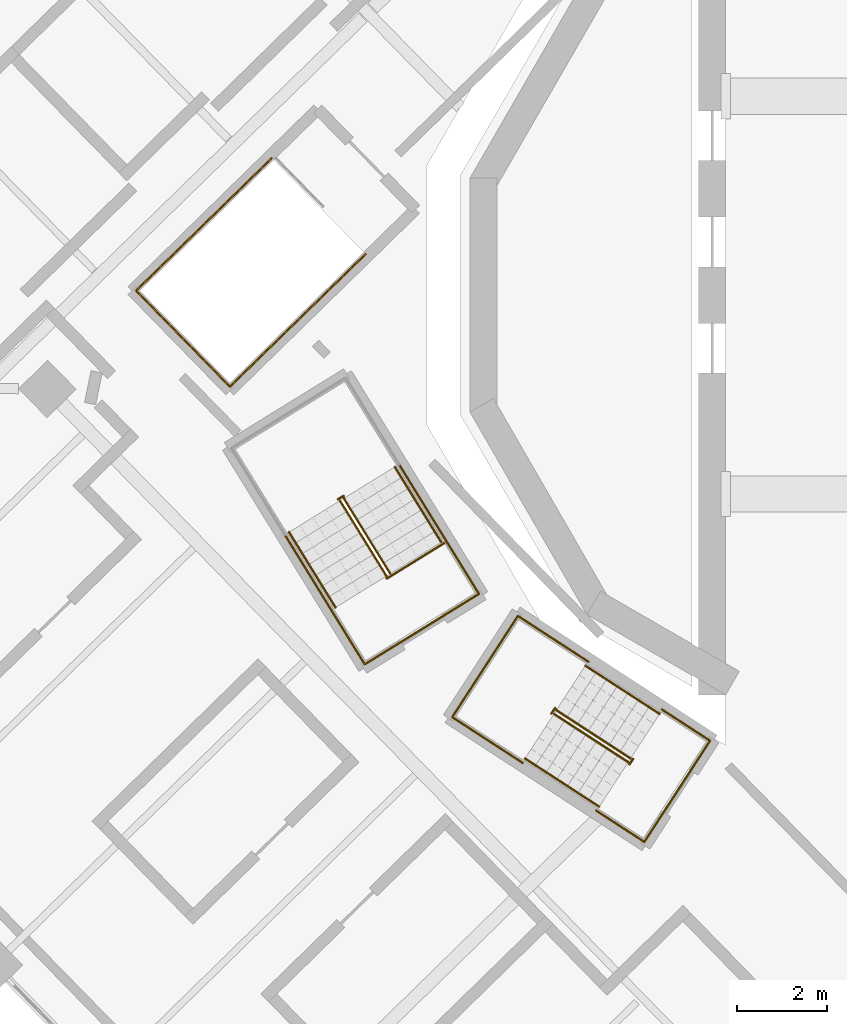
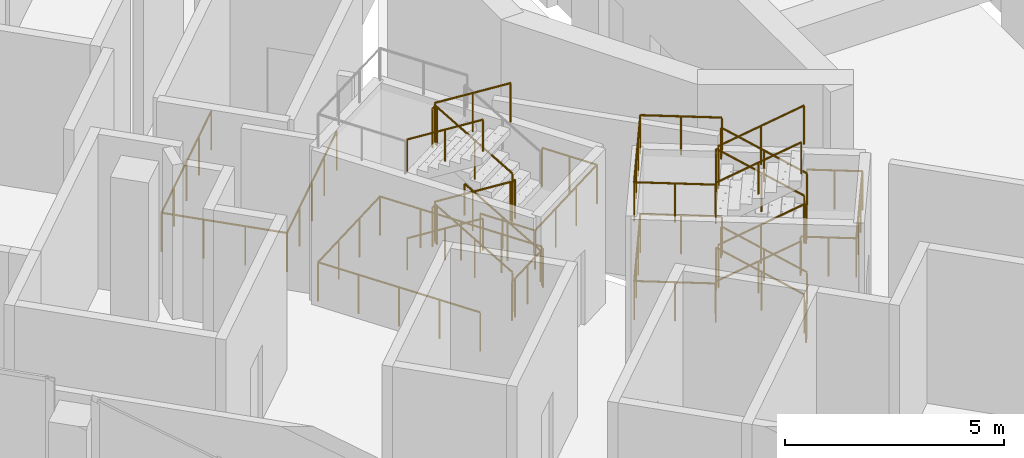
# One storey, part 18 of 20: 24 railings.
"""IFC4 building model written with IfcOpenShell, lengths in metres."""

from ifc_helpers import new_model, si_unit, direction, frame, origin, origin_2d, place, context, subcontext, project, spatial, circle, extrude, material, type_object, element, save


model = new_model("IFC4")

# Units and contexts
model_context = context("Model", 3, precision=1e-05, world=origin(), true_north=direction((0.0, 1.0)))
body_context = subcontext(model_context, "Body", "Model", "MODEL_VIEW")
ifc_project = project(units=[si_unit("LENGTHUNIT", "METRE"), si_unit("AREAUNIT", "SQUARE_METRE"), si_unit("VOLUMEUNIT", "CUBIC_METRE"), si_unit("PLANEANGLEUNIT", "RADIAN"), si_unit("MASSUNIT", "GRAM", prefix="KILO")], contexts=[model_context])

# Site, building, storey
site_placement = place(None, origin())
site = spatial("IfcSite", under=ifc_project, at=site_placement, CompositionType="ELEMENT")
building_placement = place(site_placement, origin())
building = spatial("IfcBuilding", under=site, at=building_placement, Name="Cantera Rosa Tower", CompositionType="ELEMENT")
storey_placement = place(building_placement, frame((0.0, 0.0, 245.0)))
storey = spatial("IfcBuildingStorey", under=building, at=storey_placement, Name="L54", CompositionType="ELEMENT", Elevation=245.0)

# Railings
ifc_material_1 = material(Name="Steel S355J2 (EN 10025-2)", Category="steel")
railing_type_1 = type_object("IfcRailingType", Name="STAIR GUARD 1100", PredefinedType="GUARDRAIL", material=ifc_material_1)
railing_1_placement = place(storey_placement, frame((-14.044921875, 3.0322265625, 0.0)))
element("IfcRailing", 1, at=railing_1_placement, inside=storey, type_object=railing_type_1, Name="L54 ST-43 top well guard 2", PredefinedType="GUARDRAIL", context=body_context, shape_type="SweptSolid", body=[
    extrude(circle(Radius=0.02392578125, at=origin_2d()), frame((0.0, 0.0, 1.076171875), z_axis=(-0.715259213566, -0.698859254364, 0.0), x_axis=(0.698859254364, -0.715259213566, 0.0)), (0.0, 0.0, 1.0), 4.197998046875),
    extrude(circle(Radius=0.02392578125, at=origin_2d()), frame((-3.002685546875, -2.933837890625, 1.076171875), z_axis=(0.698838333505, -0.715279654138, 0.0), x_axis=(0.715279654138, 0.698838333505, 0.0)), (0.0, 0.0, 1.0), 2.9697265625),
    extrude(circle(Radius=0.02392578125, at=origin_2d()), frame((-0.92724609375, -5.05810546875, 1.076171875), z_axis=(0.715288284249, 0.698829500247, 0.0), x_axis=(-0.698829500247, 0.715288284249, 0.0)), (0.0, 0.0, 1.0), 4.19775390625),
    extrude(circle(Radius=0.02099609375, at=origin_2d()), origin(), (0.0, 0.0, 1.0), 1.052001953125),
    extrude(circle(Radius=0.02099609375, at=origin_2d()), frame((-0.750732421875, -0.7333984375, 0.0)), (0.0, 0.0, 1.0), 1.052001953125),
    extrude(circle(Radius=0.02099609375, at=origin_2d()), frame((-1.50146484375, -1.466796875, 0.0)), (0.0, 0.0, 1.0), 1.052001953125),
    extrude(circle(Radius=0.02099609375, at=origin_2d()), frame((-2.251953125, -2.200439453125, 0.0)), (0.0, 0.0, 1.0), 1.052001953125),
    extrude(circle(Radius=0.02099609375, at=origin_2d()), frame((-3.002685546875, -2.933837890625, 0.0)), (0.0, 0.0, 1.0), 1.052001953125),
    extrude(circle(Radius=0.02099609375, at=origin_2d()), frame((-2.310791015625, -3.641845703125, 0.0)), (0.0, 0.0, 1.0), 1.052001953125),
    extrude(circle(Radius=0.02099609375, at=origin_2d()), frame((-1.619140625, -4.35009765625, 0.0)), (0.0, 0.0, 1.0), 1.052001953125),
    extrude(circle(Radius=0.02099609375, at=origin_2d()), frame((-0.92724609375, -5.05810546875, 0.0)), (0.0, 0.0, 1.0), 1.052001953125),
    extrude(circle(Radius=0.02099609375, at=origin_2d()), frame((-0.176513671875, -4.32470703125, 0.0)), (0.0, 0.0, 1.0), 1.052001953125),
    extrude(circle(Radius=0.02099609375, at=origin_2d()), frame((0.57421875, -3.59130859375, 0.0)), (0.0, 0.0, 1.0), 1.052001953125),
    extrude(circle(Radius=0.02099609375, at=origin_2d()), frame((1.32470703125, -2.85791015625, 0.0)), (0.0, 0.0, 1.0), 1.052001953125),
    extrude(circle(Radius=0.02099609375, at=origin_2d()), frame((2.075439453125, -2.12451171875, 0.0)), (0.0, 0.0, 1.0), 1.052001953125),
])
railing_2_placement = place(storey_placement, frame((-10.225830078125, -5.486083984375, 0.0)))
element("IfcRailing", 2, at=railing_2_placement, inside=storey, type_object=railing_type_1, Name="L54 ST-44 top well guard 1", PredefinedType="GUARDRAIL", context=body_context, shape_type="SweptSolid", body=[
    extrude(circle(Radius=0.02392578125, at=origin_2d()), frame((0.0, 0.0, 1.076171875), z_axis=(-0.85118298814, -0.524869051004, 0.0), x_axis=(0.524869051004, -0.85118298814, 0.0)), (0.0, 0.0, 1.0), 1.5),
    extrude(circle(Radius=0.02099609375, at=origin_2d()), origin(), (0.0, 0.0, 1.0), 1.052001953125),
    extrude(circle(Radius=0.02099609375, at=origin_2d()), frame((-0.638427734375, -0.3935546875, 0.0)), (0.0, 0.0, 1.0), 1.052001953125),
    extrude(circle(Radius=0.02099609375, at=origin_2d()), frame((-1.27685546875, -0.787353515625, 0.0)), (0.0, 0.0, 1.0), 1.052001953125),
])
railing_3_placement = place(storey_placement, frame((-10.20751953125, -5.40185546875, 0.0)))
element("IfcRailing", 3, at=railing_3_placement, inside=storey, type_object=railing_type_1, Name="L54 ST-44 top well guard 2", PredefinedType="GUARDRAIL", context=body_context, shape_type="SweptSolid", body=[
    extrude(circle(Radius=0.02392578125, at=origin_2d()), frame((0.0, 0.0, 1.076171875), z_axis=(-0.524976478809, 0.851116735059, 0.0), x_axis=(-0.851116735059, -0.524976478809, 0.0)), (0.0, 0.0, 1.0), 4.197998046875),
    extrude(circle(Radius=0.02392578125, at=origin_2d()), frame((-2.203857421875, 3.572998046875, 1.076171875), z_axis=(-0.851132917336, -0.524950242429, 0.0), x_axis=(0.524950242429, -0.851132917336, 0.0)), (0.0, 0.0, 1.0), 2.969970703125),
    extrude(circle(Radius=0.02392578125, at=origin_2d()), frame((-4.731689453125, 2.013916015625, 1.076171875), z_axis=(0.524976478809, -0.851116735059, 0.0), x_axis=(0.851116735059, 0.524976478809, 0.0)), (0.0, 0.0, 1.0), 4.197998046875),
    extrude(circle(Radius=0.02099609375, at=origin_2d()), origin(), (0.0, 0.0, 1.0), 1.052001953125),
    extrude(circle(Radius=0.02099609375, at=origin_2d()), frame((-0.551025390625, 0.893310546875, 0.0)), (0.0, 0.0, 1.0), 1.052001953125),
    extrude(circle(Radius=0.02099609375, at=origin_2d()), frame((-1.10205078125, 1.78662109375, 0.0)), (0.0, 0.0, 1.0), 1.052001953125),
    extrude(circle(Radius=0.02099609375, at=origin_2d()), frame((-1.65283203125, 2.6796875, 0.0)), (0.0, 0.0, 1.0), 1.052001953125),
    extrude(circle(Radius=0.02099609375, at=origin_2d()), frame((-2.203857421875, 3.572998046875, 0.0)), (0.0, 0.0, 1.0), 1.052001953125),
    extrude(circle(Radius=0.02099609375, at=origin_2d()), frame((-3.04638671875, 3.05322265625, 0.0)), (0.0, 0.0, 1.0), 1.052001953125),
    extrude(circle(Radius=0.02099609375, at=origin_2d()), frame((-3.88916015625, 2.53369140625, 0.0)), (0.0, 0.0, 1.0), 1.052001953125),
    extrude(circle(Radius=0.02099609375, at=origin_2d()), frame((-4.731689453125, 2.013916015625, 0.0)), (0.0, 0.0, 1.0), 1.052001953125),
    extrude(circle(Radius=0.02099609375, at=origin_2d()), frame((-4.1806640625, 1.12060546875, 0.0)), (0.0, 0.0, 1.0), 1.052001953125),
    extrude(circle(Radius=0.02099609375, at=origin_2d()), frame((-3.6298828125, 0.2275390625, 0.0)), (0.0, 0.0, 1.0), 1.052001953125),
    extrude(circle(Radius=0.02099609375, at=origin_2d()), frame((-3.078857421875, -0.665771484375, 0.0)), (0.0, 0.0, 1.0), 1.052001953125),
    extrude(circle(Radius=0.02099609375, at=origin_2d()), frame((-2.52783203125, -1.55908203125, 0.0)), (0.0, 0.0, 1.0), 1.052001953125),
])
railing_4_placement = place(storey_placement, frame((-11.42333984375, -6.165771484375, 0.171875)))
element("IfcRailing", 4, at=railing_4_placement, inside=storey, type_object=railing_type_1, Name="L54 ST-52 stair guard 1", PredefinedType="GUARDRAIL", context=body_context, shape_type="SweptSolid", body=[
    extrude(circle(Radius=0.02392578125, at=origin_2d()), frame((0.0, 0.0, 1.076171875), z_axis=(-0.447439880758, 0.725351531487, 0.523127813137), x_axis=(-0.851097591167, -0.525007514528, 0.0)), (0.0, 0.0, 1.0), 2.2998046875),
    extrude(circle(Radius=0.02392578125, at=origin_2d()), frame((-1.029052734375, 1.668212890625, 2.279296875), z_axis=(-0.069397501713, 0.997589087128, 0.0), x_axis=(-0.997589087128, -0.069397501713, 0.0)), (0.0, 0.0, 1.0), 0.056396484375),
    extrude(circle(Radius=0.02392578125, at=origin_2d()), frame((-1.032958984375, 1.724365234375, 2.279296875), z_axis=(-0.850819388589, -0.525458245725, 0.0), x_axis=(0.525458245725, -0.850819388589, 0.0)), (0.0, 0.0, 1.0), 0.150146484375),
    extrude(circle(Radius=0.02099609375, at=origin_2d()), origin(), (0.0, 0.0, 1.0), 1.052001953125),
    extrude(circle(Radius=0.02099609375, at=origin_2d()), frame((-0.5146484375, 0.833984375, 0.6015625)), (0.0, 0.0, 1.0), 1.052001953125),
    extrude(circle(Radius=0.02099609375, at=origin_2d()), frame((-1.029052734375, 1.668212890625, 1.203125)), (0.0, 0.0, 1.0), 1.052001953125),
    extrude(circle(Radius=0.02099609375, at=origin_2d()), frame((-1.032958984375, 1.724365234375, 1.203125)), (0.0, 0.0, 1.0), 1.052001953125),
    extrude(circle(Radius=0.02099609375, at=origin_2d()), frame((-1.16064453125, 1.6455078125, 1.203125)), (0.0, 0.0, 1.0), 1.052001953125),
])
railing_5_placement = place(storey_placement, frame((-12.53564453125, -4.549072265625, 1.546875)))
element("IfcRailing", 5, at=railing_5_placement, inside=storey, type_object=railing_type_1, Name="L54 ST-52 stair guard 2", PredefinedType="GUARDRAIL", context=body_context, shape_type="SweptSolid", body=[
    extrude(circle(Radius=0.02392578125, at=origin_2d()), frame((0.0, 0.0, 1.076171875), z_axis=(0.447354972853, -0.725385982322, 0.523152659283), x_axis=(0.85115324613, 0.524917280724, 0.0)), (0.0, 0.0, 1.0), 2.2998046875),
    extrude(circle(Radius=0.02392578125, at=origin_2d()), frame((1.02880859375, -1.668212890625, 2.279296875), z_axis=(0.073711968402, -0.997279572494, 0.0), x_axis=(0.997279572494, 0.073711968402, 0.0)), (0.0, 0.0, 1.0), 0.056396484375),
    extrude(circle(Radius=0.02392578125, at=origin_2d()), frame((1.032958984375, -1.724365234375, 2.279296875), z_axis=(0.851546489876, 0.524279100842, 0.0), x_axis=(-0.524279100842, 0.851546489876, 0.0)), (0.0, 0.0, 1.0), 0.14990234375),
    extrude(circle(Radius=0.02099609375, at=origin_2d()), origin(), (0.0, 0.0, 1.0), 1.052001953125),
    extrude(circle(Radius=0.02099609375, at=origin_2d()), frame((0.514404296875, -0.833984375, 0.6015625)), (0.0, 0.0, 1.0), 1.052001953125),
    extrude(circle(Radius=0.02099609375, at=origin_2d()), frame((1.02880859375, -1.668212890625, 1.203125)), (0.0, 0.0, 1.0), 1.052001953125),
    extrude(circle(Radius=0.02099609375, at=origin_2d()), frame((1.032958984375, -1.724365234375, 1.203125)), (0.0, 0.0, 1.0), 1.052001953125),
    extrude(circle(Radius=0.02099609375, at=origin_2d()), frame((1.16064453125, -1.645751953125, 1.203125)), (0.0, 0.0, 1.0), 1.052001953125),
])
railing_6_placement = place(storey_placement, frame((-11.42333984375, -6.165771484375, 2.921875)))
element("IfcRailing", 6, at=railing_6_placement, inside=storey, type_object=railing_type_1, Name="L54 ST-52 stair guard 3", PredefinedType="GUARDRAIL", context=body_context, shape_type="SweptSolid", body=[
    extrude(circle(Radius=0.02392578125, at=origin_2d()), frame((0.0, 0.0, 1.076171875), z_axis=(-0.447439880758, 0.725351531487, 0.523127813137), x_axis=(-0.851097591167, -0.525007514528, 0.0)), (0.0, 0.0, 1.0), 2.2998046875),
    extrude(circle(Radius=0.02392578125, at=origin_2d()), frame((-1.029052734375, 1.668212890625, 2.279296875), z_axis=(-0.069397501713, 0.997589087128, 0.0), x_axis=(-0.997589087128, -0.069397501713, 0.0)), (0.0, 0.0, 1.0), 0.056396484375),
    extrude(circle(Radius=0.02392578125, at=origin_2d()), frame((-1.032958984375, 1.724365234375, 2.279296875), z_axis=(-0.850819388589, -0.525458245725, 0.0), x_axis=(0.525458245725, -0.850819388589, 0.0)), (0.0, 0.0, 1.0), 0.150146484375),
    extrude(circle(Radius=0.02099609375, at=origin_2d()), origin(), (0.0, 0.0, 1.0), 1.052001953125),
    extrude(circle(Radius=0.02099609375, at=origin_2d()), frame((-0.5146484375, 0.833984375, 0.6015625)), (0.0, 0.0, 1.0), 1.052001953125),
    extrude(circle(Radius=0.02099609375, at=origin_2d()), frame((-1.029052734375, 1.668212890625, 1.203125)), (0.0, 0.0, 1.0), 1.052001953125),
    extrude(circle(Radius=0.02099609375, at=origin_2d()), frame((-1.032958984375, 1.724365234375, 1.203125)), (0.0, 0.0, 1.0), 1.052001953125),
    extrude(circle(Radius=0.02099609375, at=origin_2d()), frame((-1.16064453125, 1.6455078125, 1.203125)), (0.0, 0.0, 1.0), 1.052001953125),
])
railing_7_placement = place(storey_placement, frame((-12.53564453125, -4.549072265625, 4.296875)))
element("IfcRailing", 7, at=railing_7_placement, inside=storey, type_object=railing_type_1, Name="L54 ST-52 stair guard 4", PredefinedType="GUARDRAIL", context=body_context, shape_type="SweptSolid", body=[
    extrude(circle(Radius=0.02392578125, at=origin_2d()), frame((0.0, 0.0, 1.076171875), z_axis=(0.447354972853, -0.725385982322, 0.523152659283), x_axis=(0.85115324613, 0.524917280724, 0.0)), (0.0, 0.0, 1.0), 2.2998046875),
    extrude(circle(Radius=0.02099609375, at=origin_2d()), origin(), (0.0, 0.0, 1.0), 1.052001953125),
    extrude(circle(Radius=0.02099609375, at=origin_2d()), frame((0.514404296875, -0.833984375, 0.6015625)), (0.0, 0.0, 1.0), 1.052001953125),
    extrude(circle(Radius=0.02099609375, at=origin_2d()), frame((1.02880859375, -1.668212890625, 1.203125)), (0.0, 0.0, 1.0), 1.052001953125),
])
railing_8_placement = place(storey_placement, frame((-11.375, -6.19482421875, 0.0)))
element("IfcRailing", 8, at=railing_8_placement, inside=storey, type_object=railing_type_1, Name="L54 ST-52 stair guard 5", PredefinedType="GUARDRAIL", context=body_context, shape_type="SweptSolid", body=[
    extrude(circle(Radius=0.02392578125, at=origin_2d()), frame((0.0, 0.0, 1.076171875), z_axis=(-0.851546489876, -0.524279100842, 0.0), x_axis=(0.524279100842, -0.851546489876, 0.0)), (0.0, 0.0, 1.0), 0.14990234375),
    extrude(circle(Radius=0.02099609375, at=origin_2d()), origin(), (0.0, 0.0, 1.0), 1.052001953125),
    extrude(circle(Radius=0.02099609375, at=origin_2d()), frame((-0.127685546875, -0.07861328125, 0.0)), (0.0, 0.0, 1.0), 1.052001953125),
])
railing_9_placement = place(storey_placement, frame((-10.20751953125, -5.40185546875, 2.75)))
element("IfcRailing", 9, at=railing_9_placement, inside=storey, type_object=railing_type_1, Name="L54 ST-52 stair guard 7", PredefinedType="GUARDRAIL", context=body_context, shape_type="SweptSolid", body=[
    extrude(circle(Radius=0.02392578125, at=origin_2d()), frame((0.0, 0.0, 1.076171875), z_axis=(0.525035889828, -0.851080086944, 0.0), x_axis=(0.851080086944, 0.525035889828, 0.0)), (0.0, 0.0, 1.0), 1.421875),
    extrude(circle(Radius=0.02392578125, at=origin_2d()), frame((0.74658203125, -1.210205078125, 1.076171875), z_axis=(-0.851132917336, -0.524950242429, 0.0), x_axis=(0.524950242429, -0.851132917336, 0.0)), (0.0, 0.0, 1.0), 2.969970703125),
    extrude(circle(Radius=0.02392578125, at=origin_2d()), frame((-1.78125, -2.769287109375, 1.076171875), z_axis=(-0.525035889828, 0.851080086944, 0.0), x_axis=(-0.851080086944, -0.525035889828, 0.0)), (0.0, 0.0, 1.0), 1.421875),
    extrude(circle(Radius=0.02099609375, at=origin_2d()), origin(), (0.0, 0.0, 1.0), 1.052001953125),
    extrude(circle(Radius=0.02099609375, at=origin_2d()), frame((0.373291015625, -0.60498046875, 0.0)), (0.0, 0.0, 1.0), 1.052001953125),
    extrude(circle(Radius=0.02099609375, at=origin_2d()), frame((0.74658203125, -1.210205078125, 0.0)), (0.0, 0.0, 1.0), 1.052001953125),
    extrude(circle(Radius=0.02099609375, at=origin_2d()), frame((-0.095947265625, -1.72998046875, 0.0)), (0.0, 0.0, 1.0), 1.052001953125),
    extrude(circle(Radius=0.02099609375, at=origin_2d()), frame((-0.938720703125, -2.24951171875, 0.0)), (0.0, 0.0, 1.0), 1.052001953125),
    extrude(circle(Radius=0.02099609375, at=origin_2d()), frame((-1.78125, -2.769287109375, 0.0)), (0.0, 0.0, 1.0), 1.052001953125),
    extrude(circle(Radius=0.02099609375, at=origin_2d()), frame((-2.154541015625, -2.1640625, 0.0)), (0.0, 0.0, 1.0), 1.052001953125),
    extrude(circle(Radius=0.02099609375, at=origin_2d()), frame((-2.52783203125, -1.55908203125, 0.0)), (0.0, 0.0, 1.0), 1.052001953125),
])
railing_10_placement = place(storey_placement, frame((-6.10400390625, -10.25341796875, 0.171875)))
element("IfcRailing", 10, at=railing_10_placement, inside=storey, type_object=railing_type_1, Name="L54 ST-53 stair guard 1", PredefinedType="GUARDRAIL", context=body_context, shape_type="SweptSolid", body=[
    extrude(circle(Radius=0.02392578125, at=origin_2d()), frame((0.0, 0.0, 1.076171875), z_axis=(-0.714734888972, 0.464211446528, 0.523126917103), x_axis=(-0.544686227039, -0.838639919199, 0.0)), (0.0, 0.0, 1.0), 2.2998046875),
    extrude(circle(Radius=0.02392578125, at=origin_2d()), frame((-1.643798828125, 1.067626953125, 2.279296875), z_axis=(-0.493340105608, 0.869836501993, 0.0), x_axis=(-0.869836501993, -0.493340105608, 0.0)), (0.0, 0.0, 1.0), 0.056396484375),
    extrude(circle(Radius=0.02392578125, at=origin_2d()), frame((-1.671630859375, 1.11669921875, 2.279296875), z_axis=(-0.543386185195, -0.839482848984, 0.0), x_axis=(0.839482848984, -0.543386185195, 0.0)), (0.0, 0.0, 1.0), 0.150146484375),
    extrude(circle(Radius=0.02099609375, at=origin_2d()), origin(), (0.0, 0.0, 1.0), 1.052001953125),
    extrude(circle(Radius=0.02099609375, at=origin_2d()), frame((-0.82177734375, 0.53369140625, 0.6015625)), (0.0, 0.0, 1.0), 1.052001953125),
    extrude(circle(Radius=0.02099609375, at=origin_2d()), frame((-1.643798828125, 1.067626953125, 1.203125)), (0.0, 0.0, 1.0), 1.052001953125),
    extrude(circle(Radius=0.02099609375, at=origin_2d()), frame((-1.671630859375, 1.11669921875, 1.203125)), (0.0, 0.0, 1.0), 1.052001953125),
    extrude(circle(Radius=0.02099609375, at=origin_2d()), frame((-1.753173828125, 0.99072265625, 1.203125)), (0.0, 0.0, 1.0), 1.052001953125),
])
railing_11_placement = place(storey_placement, frame((-7.80126953125, -9.26806640625, 1.546875)))
element("IfcRailing", 11, at=railing_11_placement, inside=storey, type_object=railing_type_1, Name="L54 ST-53 stair guard 2", PredefinedType="GUARDRAIL", context=body_context, shape_type="SweptSolid", body=[
    extrude(circle(Radius=0.02392578125, at=origin_2d()), frame((0.0, 0.0, 1.076171875), z_axis=(0.714770108184, -0.464128161738, 0.523152694658), x_axis=(0.544598615326, 0.838696815414, 0.0)), (0.0, 0.0, 1.0), 2.2998046875),
    extrude(circle(Radius=0.02392578125, at=origin_2d()), frame((1.643798828125, -1.0673828125, 2.279296875), z_axis=(0.493340105608, -0.869836501993, 0.0), x_axis=(0.869836501993, 0.493340105608, 0.0)), (0.0, 0.0, 1.0), 0.056396484375),
    extrude(circle(Radius=0.02392578125, at=origin_2d()), frame((1.671630859375, -1.116455078125, 2.279296875), z_axis=(0.545274379459, 0.838257628123, 0.0), x_axis=(-0.838257628123, 0.545274379459, 0.0)), (0.0, 0.0, 1.0), 0.14990234375),
    extrude(circle(Radius=0.02099609375, at=origin_2d()), origin(), (0.0, 0.0, 1.0), 1.052001953125),
    extrude(circle(Radius=0.02099609375, at=origin_2d()), frame((0.82177734375, -0.53369140625, 0.6015625)), (0.0, 0.0, 1.0), 1.052001953125),
    extrude(circle(Radius=0.02099609375, at=origin_2d()), frame((1.643798828125, -1.0673828125, 1.203125)), (0.0, 0.0, 1.0), 1.052001953125),
    extrude(circle(Radius=0.02099609375, at=origin_2d()), frame((1.671630859375, -1.116455078125, 1.203125)), (0.0, 0.0, 1.0), 1.052001953125),
    extrude(circle(Radius=0.02099609375, at=origin_2d()), frame((1.75341796875, -0.99072265625, 1.203125)), (0.0, 0.0, 1.0), 1.052001953125),
])
railing_12_placement = place(storey_placement, frame((-6.10400390625, -10.25341796875, 2.921875)))
element("IfcRailing", 12, at=railing_12_placement, inside=storey, type_object=railing_type_1, Name="L54 ST-53 stair guard 3", PredefinedType="GUARDRAIL", context=body_context, shape_type="SweptSolid", body=[
    extrude(circle(Radius=0.02392578125, at=origin_2d()), frame((0.0, 0.0, 1.076171875), z_axis=(-0.714734888972, 0.464211446528, 0.523126917103), x_axis=(-0.544686227039, -0.838639919199, 0.0)), (0.0, 0.0, 1.0), 2.2998046875),
    extrude(circle(Radius=0.02392578125, at=origin_2d()), frame((-1.643798828125, 1.067626953125, 2.279296875), z_axis=(-0.493340105608, 0.869836501993, 0.0), x_axis=(-0.869836501993, -0.493340105608, 0.0)), (0.0, 0.0, 1.0), 0.056396484375),
    extrude(circle(Radius=0.02392578125, at=origin_2d()), frame((-1.671630859375, 1.11669921875, 2.279296875), z_axis=(-0.543386185195, -0.839482848984, 0.0), x_axis=(0.839482848984, -0.543386185195, 0.0)), (0.0, 0.0, 1.0), 0.150146484375),
    extrude(circle(Radius=0.02099609375, at=origin_2d()), origin(), (0.0, 0.0, 1.0), 1.052001953125),
    extrude(circle(Radius=0.02099609375, at=origin_2d()), frame((-0.82177734375, 0.53369140625, 0.6015625)), (0.0, 0.0, 1.0), 1.052001953125),
    extrude(circle(Radius=0.02099609375, at=origin_2d()), frame((-1.643798828125, 1.067626953125, 1.203125)), (0.0, 0.0, 1.0), 1.052001953125),
    extrude(circle(Radius=0.02099609375, at=origin_2d()), frame((-1.671630859375, 1.11669921875, 1.203125)), (0.0, 0.0, 1.0), 1.052001953125),
    extrude(circle(Radius=0.02099609375, at=origin_2d()), frame((-1.753173828125, 0.99072265625, 1.203125)), (0.0, 0.0, 1.0), 1.052001953125),
])
railing_13_placement = place(storey_placement, frame((-7.80126953125, -9.26806640625, 4.296875)))
element("IfcRailing", 13, at=railing_13_placement, inside=storey, type_object=railing_type_1, Name="L54 ST-53 stair guard 4", PredefinedType="GUARDRAIL", context=body_context, shape_type="SweptSolid", body=[
    extrude(circle(Radius=0.02392578125, at=origin_2d()), frame((0.0, 0.0, 1.076171875), z_axis=(0.714770108184, -0.464128161738, 0.523152694658), x_axis=(0.544598615326, 0.838696815414, 0.0)), (0.0, 0.0, 1.0), 2.2998046875),
    extrude(circle(Radius=0.02099609375, at=origin_2d()), origin(), (0.0, 0.0, 1.0), 1.052001953125),
    extrude(circle(Radius=0.02099609375, at=origin_2d()), frame((0.82177734375, -0.53369140625, 0.6015625)), (0.0, 0.0, 1.0), 1.052001953125),
    extrude(circle(Radius=0.02099609375, at=origin_2d()), frame((1.643798828125, -1.0673828125, 1.203125)), (0.0, 0.0, 1.0), 1.052001953125),
])
railing_14_placement = place(storey_placement, frame((-6.0478515625, -10.2587890625, 0.0)))
element("IfcRailing", 14, at=railing_14_placement, inside=storey, type_object=railing_type_1, Name="L54 ST-53 stair guard 5", PredefinedType="GUARDRAIL", context=body_context, shape_type="SweptSolid", body=[
    extrude(circle(Radius=0.02392578125, at=origin_2d()), frame((0.0, 0.0, 1.076171875), z_axis=(-0.545274379459, -0.838257628123, 0.0), x_axis=(0.838257628123, -0.545274379459, 0.0)), (0.0, 0.0, 1.0), 0.14990234375),
    extrude(circle(Radius=0.02099609375, at=origin_2d()), origin(), (0.0, 0.0, 1.0), 1.052001953125),
    extrude(circle(Radius=0.02099609375, at=origin_2d()), frame((-0.081787109375, -0.125732421875, 0.0)), (0.0, 0.0, 1.0), 1.052001953125),
])
railing_15_placement = place(storey_placement, frame((-7.037353515625, -8.11376953125, 1.375)))
element("IfcRailing", 15, at=railing_15_placement, inside=storey, type_object=railing_type_1, Name="L54 ST-53 stair guard 6", PredefinedType="GUARDRAIL", context=body_context, shape_type="SweptSolid", body=[
    extrude(circle(Radius=0.02392578125, at=origin_2d()), frame((0.0, 0.0, 1.076171875), z_axis=(-0.838647267039, 0.544674913584, 0.0), x_axis=(-0.544674913584, -0.838647267039, 0.0)), (0.0, 0.0, 1.0), 1.862060546875),
    extrude(circle(Radius=0.02392578125, at=origin_2d()), frame((-1.5615234375, 1.01416015625, 1.076171875), z_axis=(-0.544679779991, -0.838644106442, 0.0), x_axis=(0.838644106442, -0.544679779991, 0.0)), (0.0, 0.0, 1.0), 2.670166015625),
    extrude(circle(Radius=0.02392578125, at=origin_2d()), frame((-3.015869140625, -1.22509765625, 1.076171875), z_axis=(0.838686160268, -0.544615024191, 0.0), x_axis=(0.544615024191, 0.838686160268, 0.0)), (0.0, 0.0, 1.0), 1.862060546875),
    extrude(circle(Radius=0.02099609375, at=origin_2d()), origin(), (0.0, 0.0, 1.0), 1.052001953125),
    extrude(circle(Radius=0.02099609375, at=origin_2d()), frame((-0.78076171875, 0.507080078125, 0.0)), (0.0, 0.0, 1.0), 1.052001953125),
    extrude(circle(Radius=0.02099609375, at=origin_2d()), frame((-1.5615234375, 1.01416015625, 0.0)), (0.0, 0.0, 1.0), 1.052001953125),
    extrude(circle(Radius=0.02099609375, at=origin_2d()), frame((-2.04638671875, 0.267822265625, 0.0)), (0.0, 0.0, 1.0), 1.052001953125),
    extrude(circle(Radius=0.02099609375, at=origin_2d()), frame((-2.531005859375, -0.478759765625, 0.0)), (0.0, 0.0, 1.0), 1.052001953125),
    extrude(circle(Radius=0.02099609375, at=origin_2d()), frame((-3.015869140625, -1.22509765625, 0.0)), (0.0, 0.0, 1.0), 1.052001953125),
    extrude(circle(Radius=0.02099609375, at=origin_2d()), frame((-2.23486328125, -1.732177734375, 0.0)), (0.0, 0.0, 1.0), 1.052001953125),
    extrude(circle(Radius=0.02099609375, at=origin_2d()), frame((-1.4541015625, -2.2392578125, 0.0)), (0.0, 0.0, 1.0), 1.052001953125),
])
railing_16_placement = place(storey_placement, frame((-5.41357421875, -9.168212890625, 2.75)))
element("IfcRailing", 16, at=railing_16_placement, inside=storey, type_object=railing_type_1, Name="L54 ST-53 stair guard 7", PredefinedType="GUARDRAIL", context=body_context, shape_type="SweptSolid", body=[
    extrude(circle(Radius=0.02392578125, at=origin_2d()), frame((0.0, 0.0, 1.076171875), z_axis=(0.838605838084, -0.544738697295, 0.0), x_axis=(0.544738697295, 0.838605838084, 0.0)), (0.0, 0.0, 1.0), 1.27197265625),
    extrude(circle(Radius=0.02392578125, at=origin_2d()), frame((1.066650390625, -0.69287109375, 1.076171875), z_axis=(-0.544615466587, -0.838685872991, 0.0), x_axis=(0.838685872991, -0.544615466587, 0.0)), (0.0, 0.0, 1.0), 2.669921875),
    extrude(circle(Radius=0.02392578125, at=origin_2d()), frame((-0.387451171875, -2.93212890625, 1.076171875), z_axis=(-0.838662782015, 0.544651024109, 0.0), x_axis=(-0.544651024109, -0.838662782015, 0.0)), (0.0, 0.0, 1.0), 1.272216796875),
    extrude(circle(Radius=0.02099609375, at=origin_2d()), origin(), (0.0, 0.0, 1.0), 1.052001953125),
    extrude(circle(Radius=0.02099609375, at=origin_2d()), frame((0.533203125, -0.346435546875, 0.0)), (0.0, 0.0, 1.0), 1.052001953125),
    extrude(circle(Radius=0.02099609375, at=origin_2d()), frame((1.066650390625, -0.69287109375, 0.0)), (0.0, 0.0, 1.0), 1.052001953125),
    extrude(circle(Radius=0.02099609375, at=origin_2d()), frame((0.58203125, -1.439208984375, 0.0)), (0.0, 0.0, 1.0), 1.052001953125),
    extrude(circle(Radius=0.02099609375, at=origin_2d()), frame((0.09716796875, -2.185791015625, 0.0)), (0.0, 0.0, 1.0), 1.052001953125),
    extrude(circle(Radius=0.02099609375, at=origin_2d()), frame((-0.387451171875, -2.93212890625, 0.0)), (0.0, 0.0, 1.0), 1.052001953125),
    extrude(circle(Radius=0.02099609375, at=origin_2d()), frame((-0.9208984375, -2.585693359375, 0.0)), (0.0, 0.0, 1.0), 1.052001953125),
    extrude(circle(Radius=0.02099609375, at=origin_2d()), frame((-1.454345703125, -2.2392578125, 0.0)), (0.0, 0.0, 1.0), 1.052001953125),
])
railing_17_placement = place(storey_placement, frame((-7.037353515625, -8.11376953125, 4.125)))
element("IfcRailing", 17, at=railing_17_placement, inside=storey, type_object=railing_type_1, Name="L54 ST-53 stair guard 8", PredefinedType="GUARDRAIL", context=body_context, shape_type="SweptSolid", body=[
    extrude(circle(Radius=0.02392578125, at=origin_2d()), frame((0.0, 0.0, 1.076171875), z_axis=(-0.838647267039, 0.544674913584, 0.0), x_axis=(-0.544674913584, -0.838647267039, 0.0)), (0.0, 0.0, 1.0), 1.862060546875),
    extrude(circle(Radius=0.02392578125, at=origin_2d()), frame((-1.5615234375, 1.01416015625, 1.076171875), z_axis=(-0.544679779991, -0.838644106442, 0.0), x_axis=(0.838644106442, -0.544679779991, 0.0)), (0.0, 0.0, 1.0), 2.670166015625),
    extrude(circle(Radius=0.02392578125, at=origin_2d()), frame((-3.015869140625, -1.22509765625, 1.076171875), z_axis=(0.838686160268, -0.544615024191, 0.0), x_axis=(0.544615024191, 0.838686160268, 0.0)), (0.0, 0.0, 1.0), 1.862060546875),
    extrude(circle(Radius=0.02099609375, at=origin_2d()), origin(), (0.0, 0.0, 1.0), 1.052001953125),
    extrude(circle(Radius=0.02099609375, at=origin_2d()), frame((-0.78076171875, 0.507080078125, 0.0)), (0.0, 0.0, 1.0), 1.052001953125),
    extrude(circle(Radius=0.02099609375, at=origin_2d()), frame((-1.5615234375, 1.01416015625, 0.0)), (0.0, 0.0, 1.0), 1.052001953125),
    extrude(circle(Radius=0.02099609375, at=origin_2d()), frame((-2.04638671875, 0.267822265625, 0.0)), (0.0, 0.0, 1.0), 1.052001953125),
    extrude(circle(Radius=0.02099609375, at=origin_2d()), frame((-2.531005859375, -0.478759765625, 0.0)), (0.0, 0.0, 1.0), 1.052001953125),
    extrude(circle(Radius=0.02099609375, at=origin_2d()), frame((-3.015869140625, -1.22509765625, 0.0)), (0.0, 0.0, 1.0), 1.052001953125),
    extrude(circle(Radius=0.02099609375, at=origin_2d()), frame((-2.23486328125, -1.732177734375, 0.0)), (0.0, 0.0, 1.0), 1.052001953125),
    extrude(circle(Radius=0.02099609375, at=origin_2d()), frame((-1.4541015625, -2.2392578125, 0.0)), (0.0, 0.0, 1.0), 1.052001953125),
])
ifc_material_2 = material(Name="Steel S355J2 (EN 10025-2)", Category="steel")
railing_type_2 = type_object("IfcRailingType", Name="STAIR HANDRAIL 900", PredefinedType="HANDRAIL", material=ifc_material_2)
railing_18_placement = place(storey_placement, frame((-10.294677734375, -5.4697265625, 0.171875)))
element("IfcRailing", 18, at=railing_18_placement, inside=storey, type_object=railing_type_2, Name="L54 ST-52 stair handrail 1", PredefinedType="HANDRAIL", context=body_context, shape_type="SweptSolid", body=[
    extrude(circle(Radius=0.02392578125, at=origin_2d()), frame((0.0, 0.0, 0.8759765625), z_axis=(-0.447439880758, 0.725351531487, 0.523127813137), x_axis=(-0.851097591167, -0.525007514528, 0.0)), (0.0, 0.0, 1.0), 2.2998046875),
    extrude(circle(Radius=0.02099609375, at=origin_2d()), origin(), (0.0, 0.0, 1.0), 0.851806640625),
    extrude(circle(Radius=0.02099609375, at=origin_2d()), frame((-0.5146484375, 0.833984375, 0.6015625)), (0.0, 0.0, 1.0), 0.851806640625),
    extrude(circle(Radius=0.02099609375, at=origin_2d()), frame((-1.029052734375, 1.668212890625, 1.203125)), (0.0, 0.0, 1.0), 0.851806640625),
])
for number, where, name in (
    (19, (-13.664306640625, -5.2451171875, 1.546875), "L54 ST-52 stair handrail 2"),
    (20, (-13.664306640625, -5.2451171875, 4.296875), "L54 ST-52 stair handrail 4"),
):
    element("IfcRailing", number, at=place(storey_placement, frame(where)), inside=storey, type_object=railing_type_2, Name=name, PredefinedType="HANDRAIL", context=body_context, shape_type="SweptSolid", body=[
        extrude(circle(Radius=0.02392578125, at=origin_2d()), frame((0.0, 0.0, 0.8759765625), z_axis=(0.447439880758, -0.725351531487, 0.523127813137), x_axis=(0.851097591167, 0.525007514528, 0.0)), (0.0, 0.0, 1.0), 2.2998046875),
        extrude(circle(Radius=0.02099609375, at=origin_2d()), origin(), (0.0, 0.0, 1.0), 0.851806640625),
        extrude(circle(Radius=0.02099609375, at=origin_2d()), frame((0.5146484375, -0.833984375, 0.6015625)), (0.0, 0.0, 1.0), 0.851806640625),
        extrude(circle(Radius=0.02099609375, at=origin_2d()), frame((1.029052734375, -1.668212890625, 1.203125)), (0.0, 0.0, 1.0), 0.851806640625),
    ])
railing_19_placement = place(storey_placement, frame((-5.463623046875, -9.26708984375, 0.171875)))
element("IfcRailing", 21, at=railing_19_placement, inside=storey, type_object=railing_type_2, Name="L54 ST-53 stair handrail 1", PredefinedType="HANDRAIL", context=body_context, shape_type="SweptSolid", body=[
    extrude(circle(Radius=0.02392578125, at=origin_2d()), frame((0.0, 0.0, 0.8759765625), z_axis=(-0.714734888972, 0.464211446528, 0.523126917103), x_axis=(-0.544686227039, -0.838639919199, 0.0)), (0.0, 0.0, 1.0), 2.2998046875),
    extrude(circle(Radius=0.02099609375, at=origin_2d()), origin(), (0.0, 0.0, 1.0), 0.851806640625),
    extrude(circle(Radius=0.02099609375, at=origin_2d()), frame((-0.82177734375, 0.53369140625, 0.6015625)), (0.0, 0.0, 1.0), 0.851806640625),
    extrude(circle(Radius=0.02099609375, at=origin_2d()), frame((-1.643798828125, 1.067626953125, 1.203125)), (0.0, 0.0, 1.0), 0.851806640625),
])
railing_20_placement = place(storey_placement, frame((-8.441650390625, -10.25439453125, 1.546875)))
element("IfcRailing", 22, at=railing_20_placement, inside=storey, type_object=railing_type_2, Name="L54 ST-53 stair handrail 2", PredefinedType="HANDRAIL", context=body_context, shape_type="SweptSolid", body=[
    extrude(circle(Radius=0.02392578125, at=origin_2d()), frame((0.0, 0.0, 0.8759765625), z_axis=(0.714770108184, -0.464128161738, 0.523152694658), x_axis=(0.544598615326, 0.838696815414, 0.0)), (0.0, 0.0, 1.0), 2.2998046875),
    extrude(circle(Radius=0.02099609375, at=origin_2d()), origin(), (0.0, 0.0, 1.0), 0.851806640625),
    extrude(circle(Radius=0.02099609375, at=origin_2d()), frame((0.82177734375, -0.53369140625, 0.6015625)), (0.0, 0.0, 1.0), 0.851806640625),
    extrude(circle(Radius=0.02099609375, at=origin_2d()), frame((1.643798828125, -1.0673828125, 1.203125)), (0.0, 0.0, 1.0), 0.851806640625),
])
railing_21_placement = place(storey_placement, frame((-5.463623046875, -9.26708984375, 2.921875)))
element("IfcRailing", 23, at=railing_21_placement, inside=storey, type_object=railing_type_2, Name="L54 ST-53 stair handrail 3", PredefinedType="HANDRAIL", context=body_context, shape_type="SweptSolid", body=[
    extrude(circle(Radius=0.02392578125, at=origin_2d()), frame((0.0, 0.0, 0.8759765625), z_axis=(-0.714734888972, 0.464211446528, 0.523126917103), x_axis=(-0.544686227039, -0.838639919199, 0.0)), (0.0, 0.0, 1.0), 2.2998046875),
    extrude(circle(Radius=0.02099609375, at=origin_2d()), origin(), (0.0, 0.0, 1.0), 0.851806640625),
    extrude(circle(Radius=0.02099609375, at=origin_2d()), frame((-0.82177734375, 0.53369140625, 0.6015625)), (0.0, 0.0, 1.0), 0.851806640625),
    extrude(circle(Radius=0.02099609375, at=origin_2d()), frame((-1.643798828125, 1.067626953125, 1.203125)), (0.0, 0.0, 1.0), 0.851806640625),
])
railing_22_placement = place(storey_placement, frame((-8.441650390625, -10.25439453125, 4.296875)))
element("IfcRailing", 24, at=railing_22_placement, inside=storey, type_object=railing_type_2, Name="L54 ST-53 stair handrail 4", PredefinedType="HANDRAIL", context=body_context, shape_type="SweptSolid", body=[
    extrude(circle(Radius=0.02392578125, at=origin_2d()), frame((0.0, 0.0, 0.8759765625), z_axis=(0.714770108184, -0.464128161738, 0.523152694658), x_axis=(0.544598615326, 0.838696815414, 0.0)), (0.0, 0.0, 1.0), 2.2998046875),
    extrude(circle(Radius=0.02099609375, at=origin_2d()), origin(), (0.0, 0.0, 1.0), 0.851806640625),
    extrude(circle(Radius=0.02099609375, at=origin_2d()), frame((0.82177734375, -0.53369140625, 0.6015625)), (0.0, 0.0, 1.0), 0.851806640625),
    extrude(circle(Radius=0.02099609375, at=origin_2d()), frame((1.643798828125, -1.0673828125, 1.203125)), (0.0, 0.0, 1.0), 0.851806640625),
])

save(model, "model.ifc")
